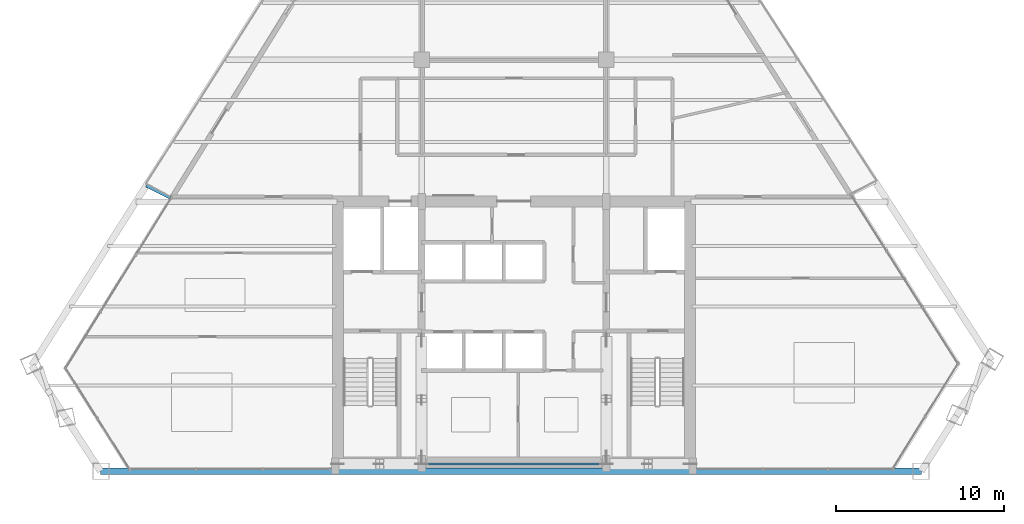
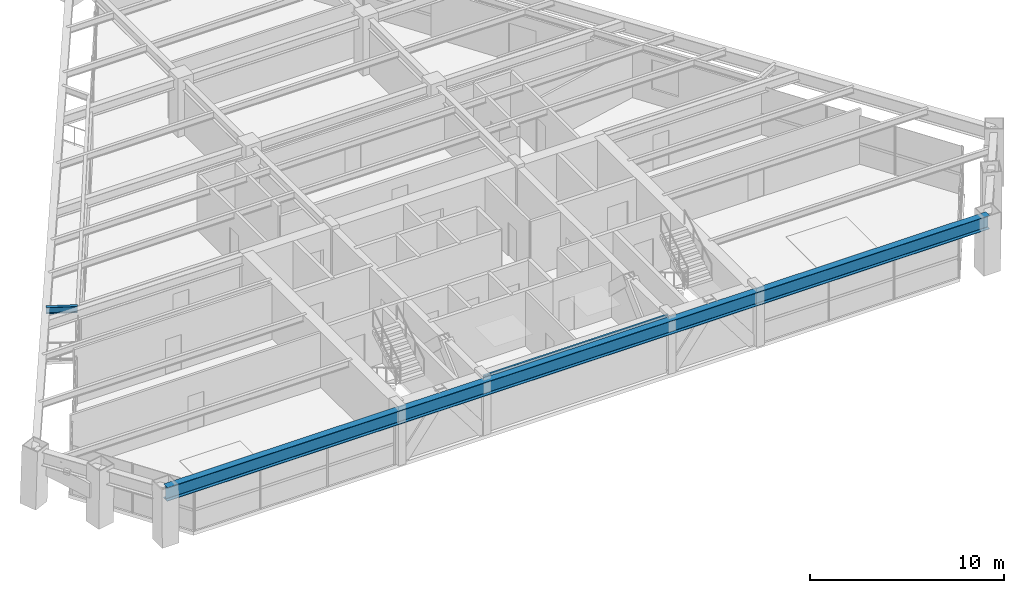
# One storey, part 3 of 15: 3 beams.
"""IFC4 building model written with IfcOpenShell, lengths in metres."""

import ifcopenshell
import ifcopenshell.guid

model = None  # the IFC model being written
_history = None  # IfcOwnerHistory: only IFC2X3 demands one
_inside = {}  # id of a spatial element -> (the spatial element, [elements in it])
_under = {}  # id of a project, library or spatial element -> (it, [spatial elements below it])
_declared = {}  # id of a project -> (the project, [libraries it declares])
_typed = {}  # id of a type object -> (the type object, [elements of that type])
_made_of = {}  # id of a material, layer set ... -> (it, [elements and type objects made of it])


def new_model(schema):
    """Start an empty IFC model of exactly this schema.

    Asked for "IFC4X3", IfcOpenShell would pick the latest addendum, in which some entities
    have other attributes; the version numbers below select the first issue.
    IFC2X3 requires an IfcOwnerHistory on every rooted entity: one is made here for all.
    """
    global model, _history
    if schema == "IFC4X3":
        model = ifcopenshell.file(schema_version=(4, 3, 0, 0))
    else:
        model = ifcopenshell.file(schema=schema)
    _inside.clear()
    _under.clear()
    _declared.clear()
    _typed.clear()
    _made_of.clear()
    _history = None
    if model.schema == "IFC2X3":
        org = make("IfcOrganization", Name="unknown")
        user = make(
            "IfcPersonAndOrganization",
            ThePerson=make("IfcPerson", FamilyName="unknown"),
            TheOrganization=org,
        )
        app = make(
            "IfcApplication",
            ApplicationDeveloper=org,
            Version="unknown",
            ApplicationFullName="unknown",
            ApplicationIdentifier="unknown",
        )
        _history = make(
            "IfcOwnerHistory",
            OwningUser=user,
            OwningApplication=app,
            ChangeAction="ADDED",
            CreationDate=0,
        )
    return model


def make(cls, **values):
    """One entity of the class cls with the attributes given. An attribute that is None is left unset."""
    return model.create_entity(
        cls, **{name: value for name, value in values.items() if value is not None}
    )


def rooted(cls, **values):
    """An entity with a GlobalId (a new one), such as an element, a storey or a relation."""
    return make(cls, GlobalId=ifcopenshell.guid.new(), OwnerHistory=_history, **values)


def si_unit(unit_type, name, prefix=None):
    """IfcSIUnit, for example si_unit("LENGTHUNIT", "METRE", prefix="MILLI")."""
    return make("IfcSIUnit", UnitType=unit_type, Prefix=prefix, Name=name)


def assignment(units):
    """IfcUnitAssignment: the units of a project."""
    return None if units is None else make("IfcUnitAssignment", Units=units)


def point(xyz):
    """IfcCartesianPoint."""
    return None if xyz is None else make("IfcCartesianPoint", Coordinates=xyz)


def direction(xyz):
    """IfcDirection."""
    return None if xyz is None else make("IfcDirection", DirectionRatios=xyz)


def frame(location, z_axis=None, x_axis=None):
    """IfcAxis2Placement3D, a coordinate frame: its origin and axes. An axis left out is left unset."""
    return make(
        "IfcAxis2Placement3D",
        Location=point(location),
        Axis=direction(z_axis),
        RefDirection=direction(x_axis),
    )


def frame_2d(location, x_axis=None):
    """IfcAxis2Placement2D, a coordinate frame in the plane: its origin and x axis."""
    return make(
        "IfcAxis2Placement2D", Location=point(location), RefDirection=direction(x_axis)
    )


def origin():
    """The frame at (0, 0, 0) with its axes left unset."""
    return frame((0.0, 0.0, 0.0))


def origin_2d():
    """The frame at (0, 0) in the plane with its x axis left unset."""
    return frame_2d((0.0, 0.0))


def place(relative_to, where):
    """IfcLocalPlacement: puts the frame where relative to a parent placement (None: the world)."""
    return make(
        "IfcLocalPlacement", PlacementRelTo=relative_to, RelativePlacement=where
    )


def context(
    kind, dimensions, precision=None, world=None, true_north=None, identifier=None
):
    """IfcGeometricRepresentationContext, for example the 3D "Model" context."""
    return make(
        "IfcGeometricRepresentationContext",
        ContextIdentifier=identifier,
        ContextType=kind,
        CoordinateSpaceDimension=dimensions,
        Precision=precision,
        WorldCoordinateSystem=world,
        TrueNorth=true_north,
    )


def subcontext(parent, identifier, kind, view, scale=None):
    """IfcGeometricRepresentationSubContext, for example "Body" below "Model"."""
    return make(
        "IfcGeometricRepresentationSubContext",
        ContextIdentifier=identifier,
        ContextType=kind,
        ParentContext=parent,
        TargetScale=scale,
        TargetView=view,
    )


def project(units=None, contexts=None):
    """IfcProject with its units and contexts."""
    return rooted(
        "IfcProject",
        Name="project",
        RepresentationContexts=contexts,
        UnitsInContext=assignment(units),
    )


def spatial(cls, under=None, at=None, **own):
    """A site, building, storey or space (cls), placed at a placement, below another one or the project."""
    s = rooted(cls, ObjectPlacement=at, **own)
    if under is not None:
        _under.setdefault(under.id(), (under, []))[1].append(s)
    return s


def profile(cls, at=None, kind="AREA", **sizes):
    """A parametric profile (cls). Its sizes go by their IFC names, for example OverallWidth=200.0."""
    return make(cls, ProfileType=kind, Position=at, **sizes)


def i_section(**sizes):
    """IfcIShapeProfileDef."""
    return profile("IfcIShapeProfileDef", **sizes)


def extrude(swept, where, along, depth):
    """IfcExtrudedAreaSolid: the profile swept, set in the frame where, extruded along a direction by depth."""
    return make(
        "IfcExtrudedAreaSolid",
        SweptArea=swept,
        Position=where,
        ExtrudedDirection=direction(along),
        Depth=depth,
    )


def shape(context_of_items, identifier, shape_type, items):
    """IfcShapeRepresentation: the items that make up one representation, for example the "Body"."""
    return make(
        "IfcShapeRepresentation",
        ContextOfItems=context_of_items,
        RepresentationIdentifier=identifier,
        RepresentationType=shape_type,
        Items=items,
    )


def source(mapping_origin, context_of_items, identifier, shape_type, items):
    """IfcRepresentationMap: a shape defined once, which mapped items show again and again."""
    return make(
        "IfcRepresentationMap",
        MappingOrigin=mapping_origin,
        MappedRepresentation=shape(context_of_items, identifier, shape_type, items),
    )


def transform(
    local_origin,
    x_axis=None,
    y_axis=None,
    z_axis=None,
    scale=None,
    scale2=None,
    scale3=None,
    uniform=True,
):
    """IfcCartesianTransformationOperator3D, or its non-uniform kind. x_axis, y_axis, z_axis: its Axis1, 2, 3."""
    if uniform:
        return make(
            "IfcCartesianTransformationOperator3D",
            Axis1=direction(x_axis),
            Axis2=direction(y_axis),
            LocalOrigin=point(local_origin),
            Scale=scale,
            Axis3=direction(z_axis),
        )
    return make(
        "IfcCartesianTransformationOperator3DnonUniform",
        Axis1=direction(x_axis),
        Axis2=direction(y_axis),
        LocalOrigin=point(local_origin),
        Scale=scale,
        Axis3=direction(z_axis),
        Scale2=scale2,
        Scale3=scale3,
    )


def mapped(mapping_source, mapping_target):
    """IfcMappedItem: shows the shape of a source again, moved by a transform."""
    return make(
        "IfcMappedItem", MappingSource=mapping_source, MappingTarget=mapping_target
    )


def material(Name=None, Category=None):
    """IfcMaterial."""
    return make("IfcMaterial", Name=Name, Category=Category)


def material_profile(
    of_material, cross_section, Name=None, Category=None, Priority=None
):
    """IfcMaterialProfile: a cross section and its material."""
    return make(
        "IfcMaterialProfile",
        Name=Name,
        Material=of_material,
        Profile=cross_section,
        Priority=Priority,
        Category=Category,
    )


def profile_set(profiles, Name=None, composite=None):
    """IfcMaterialProfileSet."""
    return make(
        "IfcMaterialProfileSet",
        Name=Name,
        MaterialProfiles=profiles,
        CompositeProfile=composite,
    )


def made_of(thing, what):
    """Note that an element or type object is made of a material, layer set ...; save() writes the relation."""
    if what is not None:
        _made_of.setdefault(what.id(), (what, []))[1].append(thing)
    return thing


def type_object(cls, material=None, **own):
    """A type object (cls), such as IfcWallType, which elements share."""
    return made_of(rooted(cls, **own), material)


def type_shapes(of_type, sources):
    """Give a type object the sources (RepresentationMaps) that its elements show as mapped items."""
    of_type.RepresentationMaps = sources


def element(
    cls,
    number,
    at=None,
    inside=None,
    cuts=None,
    type_object=None,
    material=None,
    context=None,
    identifier="Body",
    shape_type=None,
    held_by="IfcProductDefinitionShape",
    body=None,
    shapes=None,
    **own,
):
    """One element of the class cls, such as IfcWall. Its Tag is "e" and its number.

    at: its placement. inside: the storey or other place that contains it. cuts: it is an
    opening in that element (IfcRelVoidsElement). A single representation is given by context,
    identifier, shape_type and body (its items); several are given by shapes. held_by: the class
    of the entity that holds the representations. save() writes the other relations.
    """
    e = rooted(cls, Tag="e%d" % number, ObjectPlacement=at, **own)
    if body is not None:
        shapes = [shape(context, identifier, shape_type, body)]
    if shapes is not None:
        e.Representation = make(held_by, Representations=shapes)
    if inside is not None:
        _inside.setdefault(inside.id(), (inside, []))[1].append(e)
    if cuts is not None:
        rooted(
            "IfcRelVoidsElement", RelatingBuildingElement=cuts, RelatedOpeningElement=e
        )
    if type_object is not None:
        _typed.setdefault(type_object.id(), (type_object, []))[1].append(e)
    return made_of(e, material)


def aggregate(whole, parts):
    """IfcRelAggregates: a whole, such as a stair, and the parts it consists of."""
    return rooted("IfcRelAggregates", RelatingObject=whole, RelatedObjects=parts)


def save(model, path):
    """Write the relations noted so far, then the file.

    IfcRelAggregates (storeys below a building ...), IfcRelContainedInSpatialStructure (elements
    in a storey), IfcRelDefinesByType, IfcRelAssociatesMaterial and IfcRelDeclares: one each for
    every whole, place, type object, material and project.
    """
    for whole, parts in _under.values():
        aggregate(whole, parts)
    for where, things in _inside.values():
        rooted(
            "IfcRelContainedInSpatialStructure",
            RelatedElements=things,
            RelatingStructure=where,
        )
    for kind, things in _typed.values():
        rooted("IfcRelDefinesByType", RelatedObjects=things, RelatingType=kind)
    for what, things in _made_of.values():
        rooted("IfcRelAssociatesMaterial", RelatedObjects=things, RelatingMaterial=what)
    for by, libraries in _declared.values():
        rooted("IfcRelDeclares", RelatingContext=by, RelatedDefinitions=libraries)
    model.write(path)


model = new_model("IFC4")

# Units and contexts
model_context = context("Model", 3, precision=1e-05, world=origin(), true_north=direction((0.0, 1.0)))
body_context = subcontext(model_context, "Body", "Model", "MODEL_VIEW")
ifc_project = project(units=[si_unit("LENGTHUNIT", "METRE"), si_unit("AREAUNIT", "SQUARE_METRE"), si_unit("VOLUMEUNIT", "CUBIC_METRE"), si_unit("PLANEANGLEUNIT", "RADIAN"), si_unit("MASSUNIT", "GRAM", prefix="KILO")], contexts=[model_context])

# Site, building, storey
site_placement = place(None, origin())
site = spatial("IfcSite", under=ifc_project, at=site_placement, CompositionType="ELEMENT")
building_placement = place(site_placement, origin())
building = spatial("IfcBuilding", under=site, at=building_placement, Name="Varnakhor Terracotta Tower", CompositionType="ELEMENT")
storey_placement = place(building_placement, frame((0.0, 0.0, 185.800048828125)))
storey = spatial("IfcBuildingStorey", under=building, at=storey_placement, Name="L47", CompositionType="ELEMENT", Elevation=185.800048828125)

# Beams
ifc_material = material(Name="Steel S355", Category="steel")
ifc_material_profile_1 = material_profile(ifc_material, i_section(OverallWidth=0.1201171875, OverallDepth=0.239990234375, WebThickness=0.006103515625, FlangeThickness=0.009765625, FilletRadius=0.01806640625, at=origin_2d()), Name="IPE240")
ifc_profile_set_1 = profile_set([ifc_material_profile_1], Name="Steel S355")
beam_type_1 = type_object("IfcBeamType", Name="LNT-IPE240", PredefinedType="LINTEL", material=ifc_profile_set_1)
shared_shape_1 = source(origin(), body_context, "Body", "SweptSolid", [
    extrude(i_section(OverallWidth=0.1201171875, OverallDepth=0.239990234375, WebThickness=0.006103515625, FlangeThickness=0.009765625, FilletRadius=0.01806640625, at=origin_2d()), origin(), (0.0, 0.0, 1.0), 11.0),
])
type_shapes(beam_type_1, [shared_shape_1])
beam_1_placement = place(storey_placement, frame((-5.5, 0.419921875, 3.349853515625), z_axis=(1.0, 0.0, 0.0), x_axis=(0.0, 1.0, 0.0)))
element("IfcBeam", 1, at=beam_1_placement, inside=storey, type_object=beam_type_1, Name="L47 Core South Coupling Lintel", PredefinedType="LINTEL", context=body_context, shape_type="MappedRepresentation", body=[
    mapped(shared_shape_1, transform((0.0, 0.0, 0.0), scale=1.0)),
])
ifc_material_profile_2 = material_profile(ifc_material, i_section(OverallWidth=0.39990234375, OverallDepth=0.85498046875, WebThickness=0.01806640625, FlangeThickness=0.029052734375, FilletRadius=0.01806640625, at=origin_2d()), Name="W33X201")
ifc_profile_set_2 = profile_set([ifc_material_profile_2], Name="Steel S355")
beam_type_2 = type_object("IfcBeamType", Name="BM-W33X201", PredefinedType="BEAM", material=ifc_profile_set_2)
shared_shape_2 = source(origin(), body_context, "Body", "SweptSolid", [
    extrude(i_section(OverallWidth=0.39990234375, OverallDepth=0.85498046875, WebThickness=0.01806640625, FlangeThickness=0.029052734375, FilletRadius=0.01806640625, at=origin_2d()), origin(), (0.0, 0.0, 1.0), 48.879638671875),
])
beam_2_placement = place(storey_placement, frame((-24.6220703125, 0.0, 3.04248046875), z_axis=(1.0, 0.0, 0.0), x_axis=(0.0, 1.0, 0.0)))
element("IfcBeam", 2, at=beam_2_placement, inside=storey, type_object=beam_type_2, Name="L47 Perimeter Spandrel 1", PredefinedType="BEAM", context=body_context, shape_type="MappedRepresentation", body=[
    mapped(shared_shape_2, transform((0.0, 0.0, 0.0), scale=1.0)),
])
ifc_material_profile_3 = material_profile(ifc_material, i_section(OverallWidth=0.179931640625, OverallDepth=0.39990234375, WebThickness=0.008544921875, FlangeThickness=0.013427734375, FilletRadius=0.01806640625, at=origin_2d()), Name="IPE400")
ifc_profile_set_3 = profile_set([ifc_material_profile_3], Name="Steel S355")
beam_type_3 = type_object("IfcBeamType", Name="JST-IPE400", PredefinedType="JOIST", material=ifc_profile_set_3)
shared_shape_3 = source(origin(), body_context, "Body", "SweptSolid", [
    extrude(i_section(OverallWidth=0.179931640625, OverallDepth=0.39990234375, WebThickness=0.008544921875, FlangeThickness=0.013427734375, FilletRadius=0.01806640625, at=origin_2d()), origin(), (0.0, 0.0, 1.0), 1.6318359375),
])
beam_3_placement = place(storey_placement, frame((-20.44140625, 16.283935546875, 3.27001953125), z_axis=(-0.897989119229, 0.440017660722, 0.0), x_axis=(-0.440017660722, -0.897989119229, 0.0)))
element("IfcBeam", 3, at=beam_3_placement, inside=storey, type_object=beam_type_3, Name="L48 W Loggia Tie Beam 1", PredefinedType="JOIST", context=body_context, shape_type="MappedRepresentation", body=[
    mapped(shared_shape_3, transform((0.0, 0.0, 0.0), scale=1.0)),
])

save(model, "model.ifc")
